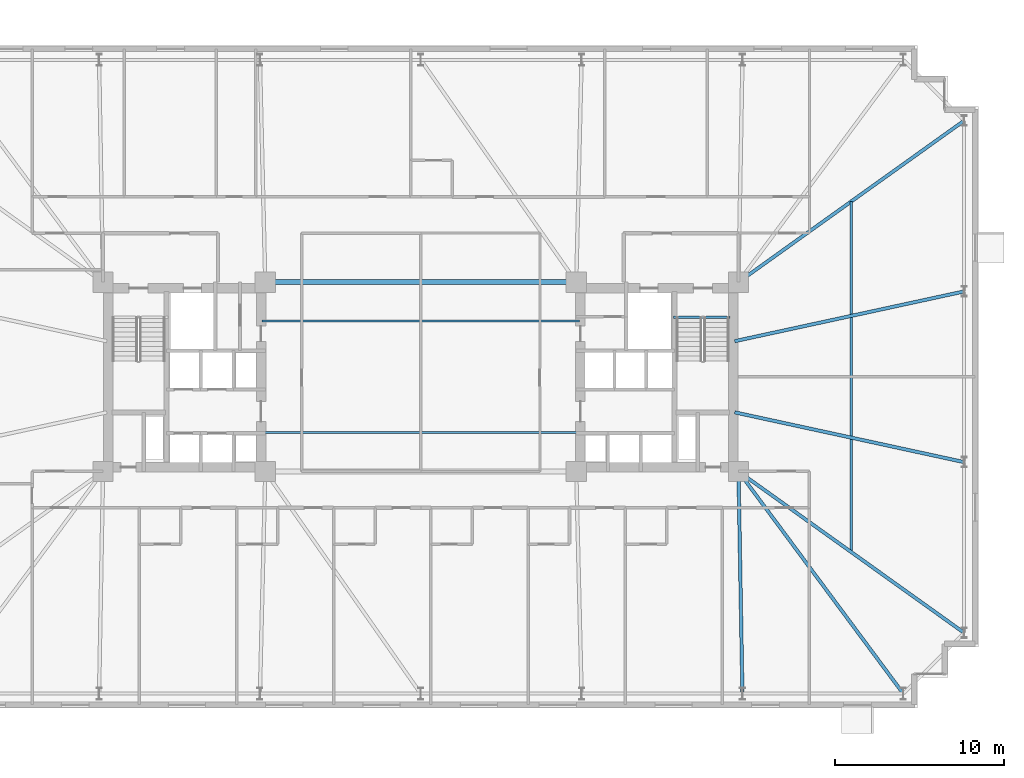
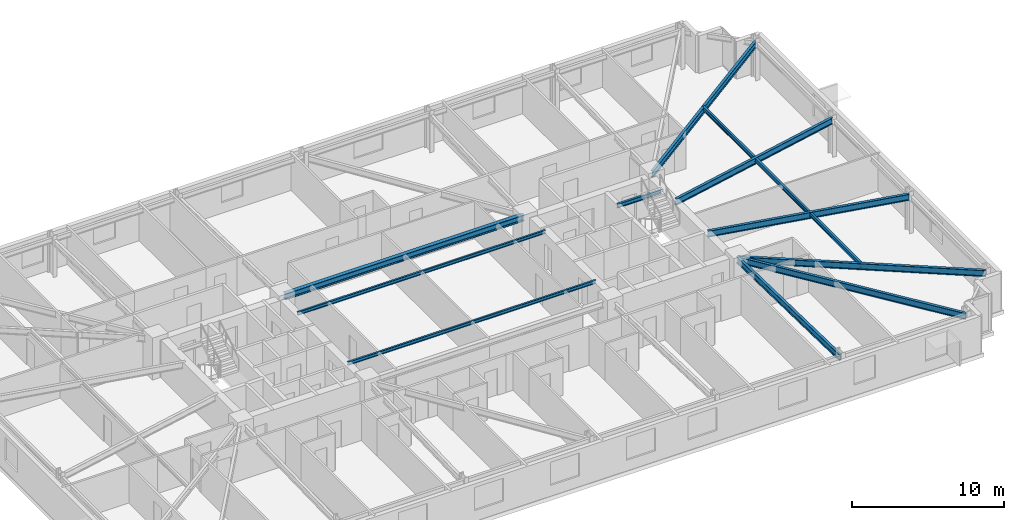
# One storey, part 7 of 20: 11 beams.
"""IFC4 building model written with IfcOpenShell, lengths in metres."""

from ifc_helpers import new_model, si_unit, direction, frame, origin, origin_2d, place, context, subcontext, project, spatial, i_section, extrude, material, material_profile, profile_set, type_object, element, save


model = new_model("IFC4")

# Units and contexts
model_context = context("Model", 3, precision=1e-05, world=origin(), true_north=direction((0.0, 1.0)))
body_context = subcontext(model_context, "Body", "Model", "MODEL_VIEW")
ifc_project = project(units=[si_unit("LENGTHUNIT", "METRE"), si_unit("AREAUNIT", "SQUARE_METRE"), si_unit("VOLUMEUNIT", "CUBIC_METRE"), si_unit("PLANEANGLEUNIT", "RADIAN"), si_unit("MASSUNIT", "GRAM", prefix="KILO")], contexts=[model_context])

# Site, building, storey
site_placement = place(None, origin())
site = spatial("IfcSite", under=ifc_project, at=site_placement, CompositionType="ELEMENT")
building_placement = place(site_placement, origin())
building = spatial("IfcBuilding", under=site, at=building_placement, Name="Qobustan Lattice House", CompositionType="ELEMENT")
storey_placement = place(building_placement, frame((0.0, 0.0, 70.550048828125)))
storey = spatial("IfcBuildingStorey", under=building, at=storey_placement, Name="L19", CompositionType="ELEMENT", Elevation=70.550048828125)

# Beams
ifc_material_1 = material(Name="Steel S355", Category="steel")
ifc_material_profile_1 = material_profile(ifc_material_1, i_section(OverallWidth=0.300048828125, OverallDepth=0.5, WebThickness=0.014404296875, FlangeThickness=0.028076171875, FilletRadius=0.027099609375, at=origin_2d()), Name="HEB500")
ifc_profile_set_1 = profile_set([ifc_material_profile_1], Name="Steel S355")
beam_type_1 = type_object("IfcBeamType", Name="BM-CG-HEB500", PredefinedType="USERDEFINED", material=ifc_profile_set_1)
beam_1_placement = place(storey_placement, frame((-9.050048828125, 5.60009765625, 2.75), z_axis=(1.0, 0.0, 0.0), x_axis=(0.0, 1.0, 0.0)))
element("IfcBeam", 1, at=beam_1_placement, inside=storey, type_object=beam_type_1, Name="L19 core spine girder CG-CN", ObjectType="GIRDER", PredefinedType="USERDEFINED", context=body_context, shape_type="SweptSolid", body=[
    extrude(i_section(OverallWidth=0.300048828125, OverallDepth=0.5, WebThickness=0.014404296875, FlangeThickness=0.028076171875, FilletRadius=0.027099609375, at=origin_2d()), origin(), (0.0, 0.0, 1.0), 18.10009765625),
])
ifc_material_2 = material(Name="Steel S355", Category="steel")
ifc_material_profile_2 = material_profile(ifc_material_2, i_section(OverallWidth=0.199951171875, OverallDepth=0.5, WebThickness=0.01025390625, FlangeThickness=0.01611328125, FilletRadius=0.02099609375, at=origin_2d()), Name="IPE500")
ifc_profile_set_2 = profile_set([ifc_material_profile_2], Name="Steel S355")
beam_type_2 = type_object("IfcBeamType", Name="BM-FLG-IPE500", PredefinedType="USERDEFINED", material=ifc_profile_set_2)
beam_2_placement = place(storey_placement, frame((19.032958984375, -18.72509765625, 2.75), z_axis=(-0.017757831607, 0.999842317276, 0.0), x_axis=(-0.999842317276, -0.017757831607, 0.0)))
element("IfcBeam", 2, at=beam_2_placement, inside=storey, type_object=beam_type_2, Name="L19 primary floor girder RAD-S6", ObjectType="GIRDER", PredefinedType="USERDEFINED", context=body_context, shape_type="SweptSolid", body=[
    extrude(i_section(OverallWidth=0.199951171875, OverallDepth=0.5, WebThickness=0.01025390625, FlangeThickness=0.01611328125, FilletRadius=0.02099609375, at=origin_2d()), origin(), (0.0, 0.0, 1.0), 13.10205078125),
])
beam_3_placement = place(storey_placement, frame((28.53515625, -18.72998046875, 2.75), z_axis=(-0.5955916815, 0.803287338956, 0.0), x_axis=(-0.803287338956, -0.5955916815, 0.0)))
element("IfcBeam", 3, at=beam_3_placement, inside=storey, type_object=beam_type_2, Name="L19 primary floor girder RAD-S7E", ObjectType="GIRDER", PredefinedType="USERDEFINED", context=body_context, shape_type="SweptSolid", body=[
    extrude(i_section(OverallWidth=0.199951171875, OverallDepth=0.5, WebThickness=0.01025390625, FlangeThickness=0.01611328125, FilletRadius=0.02099609375, at=origin_2d()), origin(), (0.0, 0.0, 1.0), 16.3203125),
])
beam_4_placement = place(storey_placement, frame((32.129638671875, 15.135498046875, 2.75), z_axis=(-0.813318954893, -0.581818079481, 0.0), x_axis=(0.581818079481, -0.813318954893, 0.0)))
element("IfcBeam", 4, at=beam_4_placement, inside=storey, type_object=beam_type_2, Name="L19 primary floor girder RAD-E4", ObjectType="GIRDER", PredefinedType="USERDEFINED", context=body_context, shape_type="SweptSolid", body=[
    extrude(i_section(OverallWidth=0.199951171875, OverallDepth=0.5, WebThickness=0.01025390625, FlangeThickness=0.01611328125, FilletRadius=0.02099609375, at=origin_2d()), origin(), (0.0, 0.0, 1.0), 16.3642578125),
])
for number, where, z_axis, x_axis, name in (
    (5, (32.12548828125, 5.044677734375, 2.75), (-0.97727240275, -0.211987383643, 0.0), (0.211987383643, -0.97727240275, 0.0), "L19 primary floor girder RAD-E3"),
    (6, (32.12548828125, -5.044677734375, 2.75), (-0.97727240275, 0.211987383643, 0.0), (-0.211987383643, -0.97727240275, 0.0), "L19 primary floor girder RAD-E2"),
):
    element("IfcBeam", number, at=place(storey_placement, frame(where, z_axis=z_axis, x_axis=x_axis)), inside=storey, type_object=beam_type_2, Name=name, ObjectType="GIRDER", PredefinedType="USERDEFINED", context=body_context, shape_type="SweptSolid", body=[
        extrude(i_section(OverallWidth=0.199951171875, OverallDepth=0.5, WebThickness=0.01025390625, FlangeThickness=0.01611328125, FilletRadius=0.02099609375, at=origin_2d()), origin(), (0.0, 0.0, 1.0), 13.8662109375),
    ])
beam_5_placement = place(storey_placement, frame((32.129638671875, -15.135498046875, 2.75), z_axis=(-0.813318954893, 0.581818079481, 0.0), x_axis=(-0.581818079481, -0.813318954893, 0.0)))
element("IfcBeam", 7, at=beam_5_placement, inside=storey, type_object=beam_type_2, Name="L19 primary floor girder RAD-E1", ObjectType="GIRDER", PredefinedType="USERDEFINED", context=body_context, shape_type="SweptSolid", body=[
    extrude(i_section(OverallWidth=0.199951171875, OverallDepth=0.5, WebThickness=0.01025390625, FlangeThickness=0.01611328125, FilletRadius=0.02099609375, at=origin_2d()), origin(), (0.0, 0.0, 1.0), 16.3642578125),
])
ifc_material_3 = material(Name="Steel S355", Category="steel")
ifc_material_profile_3 = material_profile(ifc_material_3, i_section(OverallWidth=0.135009765625, OverallDepth=0.27001953125, WebThickness=0.006591796875, FlangeThickness=0.01025390625, FilletRadius=0.014892578125, at=origin_2d()), Name="IPE270")
ifc_profile_set_3 = profile_set([ifc_material_profile_3], Name="Steel S355")
beam_type_3 = type_object("IfcBeamType", Name="BM-JST-IPE270", PredefinedType="JOIST", material=ifc_profile_set_3)
for number, where, z_axis, x_axis, name in (
    (8, (-9.39990234375, -3.300048828125, 2.864990234375), (1.0, 0.0, 0.0), (0.0, 1.0, 0.0), "L19 central span floor joist 1"),
    (9, (-9.39990234375, 3.300048828125, 2.864990234375), (1.0, 0.0, 0.0), (0.0, 1.0, 0.0), "L19 central span floor joist 2"),
):
    element("IfcBeam", number, at=place(storey_placement, frame(where, z_axis=z_axis, x_axis=x_axis)), inside=storey, type_object=beam_type_3, Name=name, PredefinedType="JOIST", context=body_context, shape_type="SweptSolid", body=[
        extrude(i_section(OverallWidth=0.135009765625, OverallDepth=0.27001953125, WebThickness=0.006591796875, FlangeThickness=0.01025390625, FilletRadius=0.014892578125, at=origin_2d()), origin(), (0.0, 0.0, 1.0), 18.7998046875),
    ])
ifc_material_4 = material(Name="Steel S355", Category="steel")
ifc_material_profile_4 = material_profile(ifc_material_4, i_section(OverallWidth=0.159912109375, OverallDepth=0.330078125, WebThickness=0.007568359375, FlangeThickness=0.011474609375, FilletRadius=0.01806640625, at=origin_2d()), Name="IPE330")
ifc_profile_set_4 = profile_set([ifc_material_profile_4], Name="Steel S355")
beam_type_4 = type_object("IfcBeamType", Name="BM-SEC-IPE330", PredefinedType="BEAM", material=ifc_profile_set_4)
beam_6_placement = place(storey_placement, frame((25.47509765625, 10.375, 2.8349609375), z_axis=(0.0, -1.0, 0.0), x_axis=(1.0, 0.0, 0.0)))
element("IfcBeam", 10, at=beam_6_placement, inside=storey, type_object=beam_type_4, Name="L19 east wing secondary beam", PredefinedType="BEAM", context=body_context, shape_type="SweptSolid", body=[
    extrude(i_section(OverallWidth=0.159912109375, OverallDepth=0.330078125, WebThickness=0.007568359375, FlangeThickness=0.011474609375, FilletRadius=0.01806640625, at=origin_2d()), origin(), (0.0, 0.0, 1.0), 20.75),
])
ifc_material_5 = material(Name="Steel S355", Category="steel")
ifc_material_profile_5 = material_profile(ifc_material_5, i_section(OverallWidth=0.159912109375, OverallDepth=0.330078125, WebThickness=0.007568359375, FlangeThickness=0.011474609375, FilletRadius=0.01806640625, at=origin_2d()), Name="IPE330")
ifc_profile_set_5 = profile_set([ifc_material_profile_5], Name="Steel S355")
beam_type_5 = type_object("IfcBeamType", Name="BM-SPD-IPE330", PredefinedType="SPANDREL", material=ifc_profile_set_5)
beam_7_placement = place(storey_placement, frame((14.949951171875, 3.52001953125, 2.8349609375), z_axis=(1.0, 0.0, 0.0), x_axis=(0.0, 1.0, 0.0)))
element("IfcBeam", 11, at=beam_7_placement, inside=storey, type_object=beam_type_5, Name="L19 east stair landing trimmer beam", PredefinedType="SPANDREL", context=body_context, shape_type="SweptSolid", body=[
    extrude(i_section(OverallWidth=0.159912109375, OverallDepth=0.330078125, WebThickness=0.007568359375, FlangeThickness=0.011474609375, FilletRadius=0.01806640625, at=origin_2d()), origin(), (0.0, 0.0, 1.0), 3.35009765625),
])

save(model, "model.ifc")
